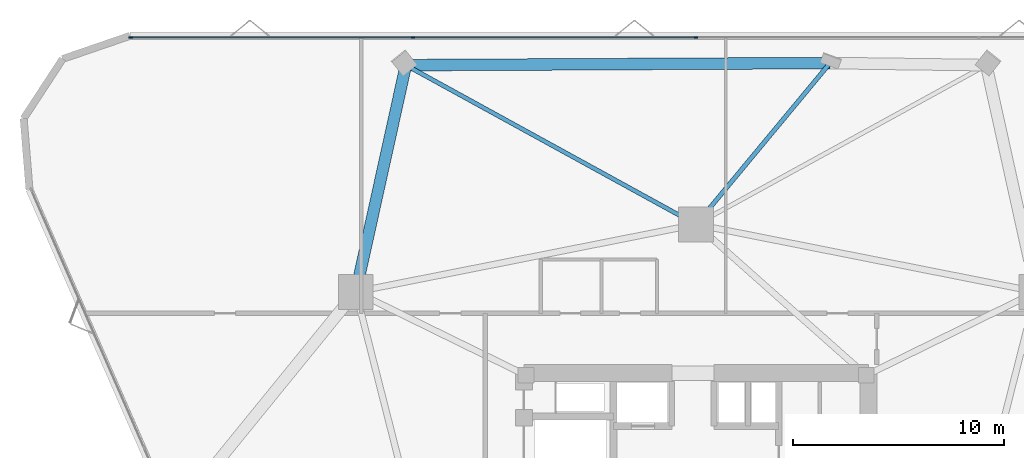
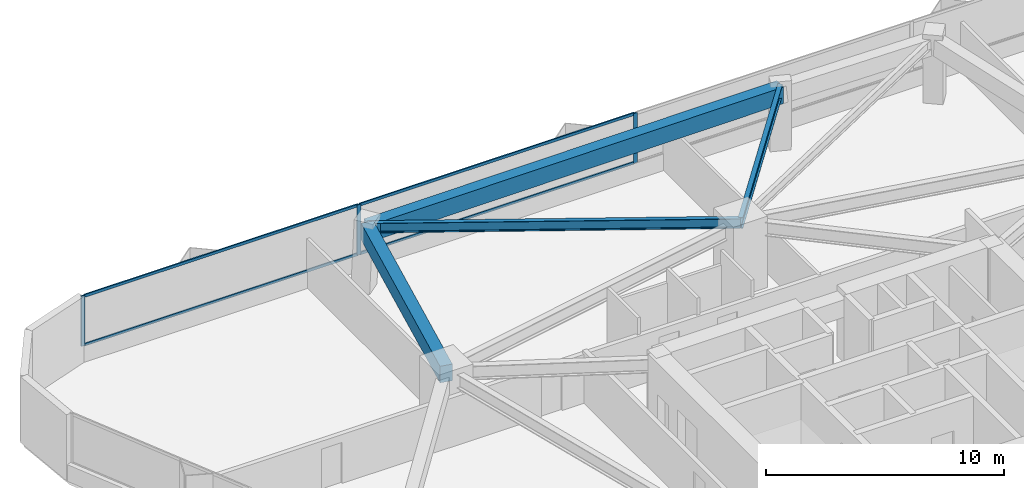
# One storey, part 11 of 19: 7 members, 4 beams, 1 element without a shape of its own.
"""IFC4 building model written with IfcOpenShell, lengths in metres."""

from ifc_helpers import new_model, si_unit, direction, frame, origin, origin_2d, place, context, subcontext, project, spatial, rectangle, i_section, extrude, material, layer, layer_set, material_profile, profile_set, type_object, element, aggregate, save


model = new_model("IFC4")

# Units and contexts
model_context = context("Model", 3, precision=1e-05, world=origin(), true_north=direction((0.0, 1.0)))
body_context = subcontext(model_context, "Body", "Model", "MODEL_VIEW")
ifc_project = project(units=[si_unit("LENGTHUNIT", "METRE"), si_unit("AREAUNIT", "SQUARE_METRE"), si_unit("VOLUMEUNIT", "CUBIC_METRE"), si_unit("PLANEANGLEUNIT", "RADIAN"), si_unit("MASSUNIT", "GRAM", prefix="KILO")], contexts=[model_context])

# Site, building, storey
site_placement = place(None, origin())
site = spatial("IfcSite", under=ifc_project, at=site_placement, CompositionType="ELEMENT")
building_placement = place(site_placement, origin())
building = spatial("IfcBuilding", under=site, at=building_placement, Name="Talyreon Biosciences Tower", CompositionType="ELEMENT")
storey_placement = place(building_placement, frame((0.0, 0.0, 85.949951171875)))
storey = spatial("IfcBuildingStorey", under=building, at=storey_placement, Name="L22", CompositionType="ELEMENT", Elevation=85.949951171875)

# Curtain wall, members
ifc_material_1 = material(Name="Thermally broken aluminium and low-E glazing", Category="aluminium")
ifc_layer = layer(ifc_material_1, 0.18994140625)
ifc_layer_set = layer_set([ifc_layer], Name="Thermally broken aluminium and low-E glazing")
curtain_wall_type = type_object("IfcCurtainWallType", Name="CurtainWall_Zone2Genomics", PredefinedType="NOTDEFINED", material=ifc_layer_set)
curtain_wall_placement = place(storey_placement, origin())
curtain_wall = element("IfcCurtainWall", 1, at=curtain_wall_placement, inside=storey, type_object=curtain_wall_type, Name="L22 Unitised Curtain Wall FCW-L22-04", PredefinedType="NOTDEFINED")
ifc_material_2 = material(Name="Anodised thermally broken aluminium", Category="aluminium")
ifc_material_profile_1 = material_profile(ifc_material_2, rectangle(XDim=0.06494140625, YDim=0.179931640625, at=origin_2d()), Name="ALUM MULLION 65x180")
ifc_profile_set_1 = profile_set([ifc_material_profile_1], Name="Anodised thermally broken aluminium")
member_type_1 = type_object("IfcMemberType", Name="CWMullion_65x180", PredefinedType="MULLION", material=ifc_profile_set_1)
member_1_placement = place(storey_placement, frame((39.247802734375, 90.64013671875, 0.81005859375), z_axis=(0.0, 0.0, 1.0), x_axis=(0.0, 1.0, 0.0)))
member_1 = element("IfcMember", 2, at=member_1_placement, type_object=member_type_1, Name="CW3 mullion 1", PredefinedType="MULLION", context=body_context, shape_type="SweptSolid", body=[
    extrude(rectangle(XDim=0.06494140625, YDim=0.179931640625, at=origin_2d()), origin(), (0.0, 0.0, 1.0), 2.56494140625),
])
member_2_placement = place(storey_placement, frame((52.607666015625, 90.64013671875, 0.81005859375), z_axis=(0.0, 0.0, 1.0), x_axis=(0.0, 1.0, 0.0)))
member_2 = element("IfcMember", 3, at=member_2_placement, type_object=member_type_1, Name="CW3 mullion 2", PredefinedType="MULLION", context=body_context, shape_type="SweptSolid", body=[
    extrude(rectangle(XDim=0.06494140625, YDim=0.179931640625, at=origin_2d()), origin(), (0.0, 0.0, 1.0), 2.56494140625),
])
member_3_placement = place(storey_placement, frame((66.0, 90.64013671875, 0.81005859375), z_axis=(0.0, 0.0, 1.0), x_axis=(0.0, 1.0, 0.0)))
member_3 = element("IfcMember", 4, at=member_3_placement, type_object=member_type_1, Name="CW3 mullion 3", PredefinedType="MULLION", context=body_context, shape_type="SweptSolid", body=[
    extrude(rectangle(XDim=0.06494140625, YDim=0.179931640625, at=origin_2d()), origin(), (0.0, 0.0, 1.0), 2.56494140625),
])
ifc_material_profile_2 = material_profile(ifc_material_2, rectangle(XDim=0.06494140625, YDim=0.139892578125, at=origin_2d()), Name="ALUM TRANSOM 65x140")
ifc_profile_set_2 = profile_set([ifc_material_profile_2], Name="Anodised thermally broken aluminium")
member_type_2 = type_object("IfcMemberType", Name="CWTransom_65x140", PredefinedType="USERDEFINED", material=ifc_profile_set_2)
member_4_placement = place(storey_placement, frame((39.280517578125, 90.64013671875, 0.842529296875), z_axis=(1.0, 0.0, 0.0), x_axis=(0.0, 1.0, 0.0)))
member_4 = element("IfcMember", 5, at=member_4_placement, type_object=member_type_2, Name="CW3 transom 1.1", ObjectType="TRANSOM", PredefinedType="USERDEFINED", context=body_context, shape_type="SweptSolid", body=[
    extrude(rectangle(XDim=0.06494140625, YDim=0.139892578125, at=origin_2d()), origin(), (0.0, 0.0, 1.0), 13.294677734375),
])
member_5_placement = place(storey_placement, frame((39.280517578125, 90.64013671875, 3.342529296875), z_axis=(1.0, 0.0, 0.0), x_axis=(0.0, 1.0, 0.0)))
member_5 = element("IfcMember", 6, at=member_5_placement, type_object=member_type_2, Name="CW3 transom 1.2", ObjectType="TRANSOM", PredefinedType="USERDEFINED", context=body_context, shape_type="SweptSolid", body=[
    extrude(rectangle(XDim=0.06494140625, YDim=0.139892578125, at=origin_2d()), origin(), (0.0, 0.0, 1.0), 13.294677734375),
])
member_6_placement = place(storey_placement, frame((52.64013671875, 90.64013671875, 0.842529296875), z_axis=(1.0, 0.0, 0.0), x_axis=(0.0, 1.0, 0.0)))
member_6 = element("IfcMember", 7, at=member_6_placement, type_object=member_type_2, Name="CW3 transom 2.1", ObjectType="TRANSOM", PredefinedType="USERDEFINED", context=body_context, shape_type="SweptSolid", body=[
    extrude(rectangle(XDim=0.06494140625, YDim=0.139892578125, at=origin_2d()), origin(), (0.0, 0.0, 1.0), 13.327392578125),
])
member_7_placement = place(storey_placement, frame((52.64013671875, 90.64013671875, 3.342529296875), z_axis=(1.0, 0.0, 0.0), x_axis=(0.0, 1.0, 0.0)))
member_7 = element("IfcMember", 8, at=member_7_placement, type_object=member_type_2, Name="CW3 transom 2.2", ObjectType="TRANSOM", PredefinedType="USERDEFINED", context=body_context, shape_type="SweptSolid", body=[
    extrude(rectangle(XDim=0.06494140625, YDim=0.139892578125, at=origin_2d()), origin(), (0.0, 0.0, 1.0), 13.327392578125),
])
aggregate(curtain_wall, [member_1, member_2, member_3, member_4, member_5, member_6, member_7])

# Beams
ifc_material_3 = material(Name="Precast concrete C45/55", Category="concrete")
ifc_material_profile_3 = material_profile(ifc_material_3, rectangle(XDim=0.550048828125, YDim=0.85009765625, at=origin_2d()), Name="RCB 550x850")
ifc_profile_set_3 = profile_set([ifc_material_profile_3], Name="Precast concrete C45/55")
beam_type_1 = type_object("IfcBeamType", Name="ExpressedSpandrel_550x850", PredefinedType="SPANDREL", material=ifc_profile_set_3)
beam_1_placement = place(storey_placement, frame((72.337890625, 89.42578125, 2.949951171875), z_axis=(-0.999987562801, -0.004987408471, 0.0), x_axis=(0.004987408471, -0.999987562801, 0.0)))
element("IfcBeam", 9, at=beam_1_placement, inside=storey, type_object=beam_type_1, Name="L22 Expressed Horizontal Concrete Spandrel 07", PredefinedType="SPANDREL", context=body_context, shape_type="SweptSolid", body=[
    extrude(rectangle(XDim=0.550048828125, YDim=0.85009765625, at=origin_2d()), origin(), (0.0, 0.0, 1.0), 20.070068359375),
])
beam_2_placement = place(storey_placement, frame((52.26806640625, 89.32568359375, 2.949951171875), z_axis=(-0.2157655436, -0.976445200815, 0.0), x_axis=(0.976445200815, -0.2157655436, 0.0)))
element("IfcBeam", 10, at=beam_2_placement, inside=storey, type_object=beam_type_1, Name="L22 Expressed Horizontal Concrete Spandrel 08", PredefinedType="SPANDREL", context=body_context, shape_type="SweptSolid", body=[
    extrude(rectangle(XDim=0.550048828125, YDim=0.85009765625, at=origin_2d()), origin(), (0.0, 0.0, 1.0), 10.98583984375),
])
ifc_material_4 = material(Name="Steel SM355", Category="steel")
ifc_material_profile_4 = material_profile(ifc_material_4, i_section(OverallWidth=0.199951171875, OverallDepth=0.5, WebThickness=0.01025390625, FlangeThickness=0.01611328125, FilletRadius=0.02099609375, at=origin_2d()), Name="IPE500")
ifc_profile_set_4 = profile_set([ifc_material_profile_4], Name="Steel SM355")
beam_type_2 = type_object("IfcBeamType", Name="SteelJoist_IPE500", PredefinedType="JOIST", material=ifc_profile_set_4)
beam_3_placement = place(storey_placement, frame((66.0, 81.788818359375, 3.125), z_axis=(-0.876638750681, 0.481149146113, 0.0), x_axis=(-0.481149146113, -0.876638750681, 0.0)))
element("IfcBeam", 11, at=beam_3_placement, inside=storey, type_object=beam_type_2, Name="L22 Radial Composite Floor Joist PC-N2", PredefinedType="JOIST", context=body_context, shape_type="SweptSolid", body=[
    extrude(i_section(OverallWidth=0.199951171875, OverallDepth=0.5, WebThickness=0.01025390625, FlangeThickness=0.01611328125, FilletRadius=0.02099609375, at=origin_2d()), origin(), (0.0, 0.0, 1.0), 15.664306640625),
])
ifc_material_profile_5 = material_profile(ifc_material_4, i_section(OverallWidth=0.2099609375, OverallDepth=0.550048828125, WebThickness=0.010986328125, FlangeThickness=0.01708984375, FilletRadius=0.02392578125, at=origin_2d()), Name="IPE550")
ifc_profile_set_5 = profile_set([ifc_material_profile_5], Name="Steel SM355")
beam_type_3 = type_object("IfcBeamType", Name="SteelJoist_IPE550", PredefinedType="JOIST", material=ifc_profile_set_5)
beam_4_placement = place(storey_placement, frame((66.0, 81.788818359375, 3.10009765625), z_axis=(0.638622374436, 0.769520280999, 0.0), x_axis=(-0.769520280999, 0.638622374436, 0.0)))
element("IfcBeam", 12, at=beam_4_placement, inside=storey, type_object=beam_type_3, Name="L22 Radial Composite Floor Joist PL-N", PredefinedType="JOIST", context=body_context, shape_type="SweptSolid", body=[
    extrude(i_section(OverallWidth=0.2099609375, OverallDepth=0.550048828125, WebThickness=0.010986328125, FlangeThickness=0.01708984375, FilletRadius=0.02392578125, at=origin_2d()), origin(), (0.0, 0.0, 1.0), 9.92431640625),
])

save(model, "model.ifc")
